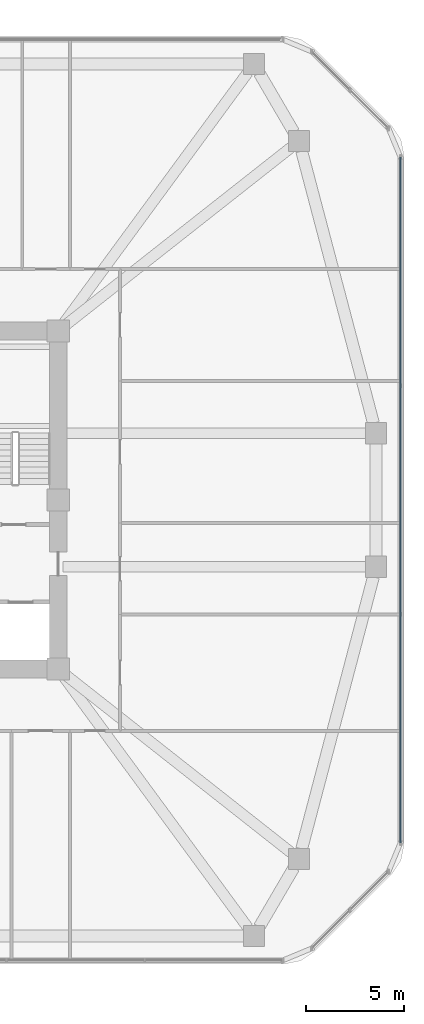
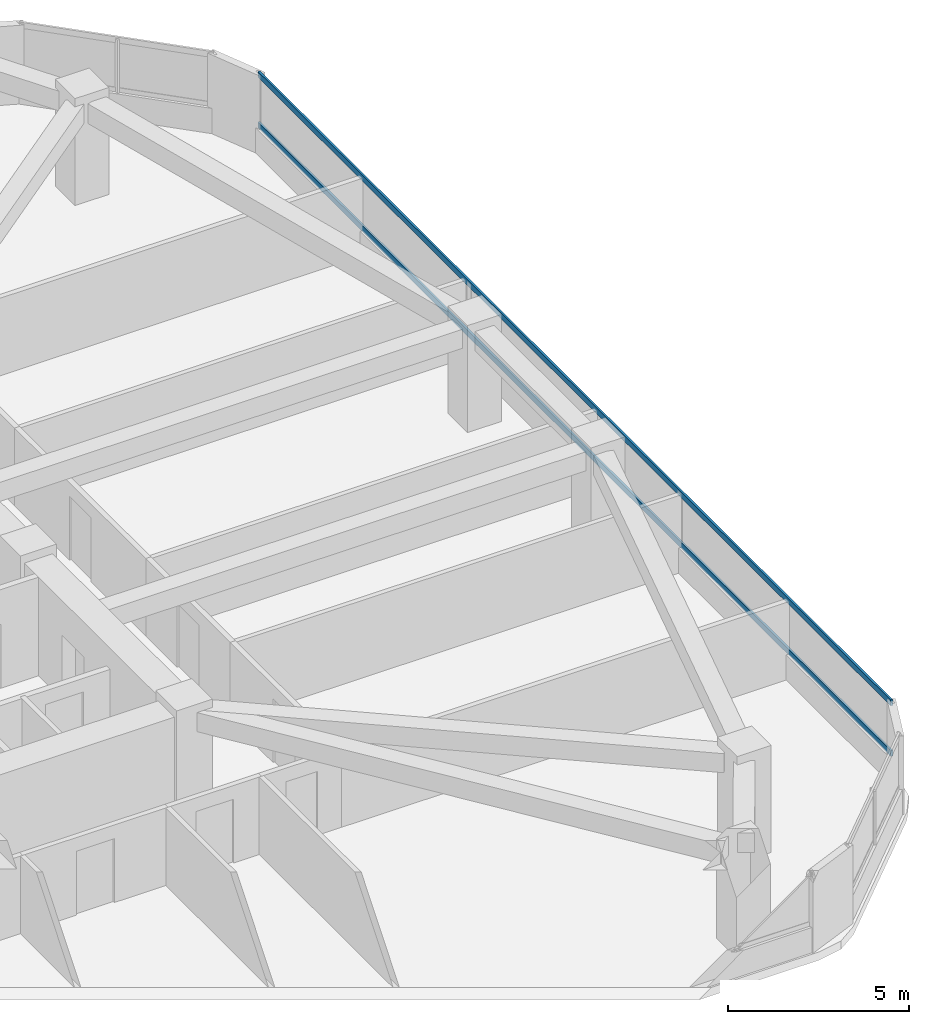
# One storey, part 4 of 14: 2 members, 1 element without a shape of its own.
"""IFC4 building model written with IfcOpenShell, lengths in metres."""

from ifc_helpers import new_model, si_unit, derived_unit, direction, frame, origin, origin_2d, place, context, subcontext, project, spatial, rectangle, extrude, material, material_profile, profile_set, type_object, element, aggregate, save


model = new_model("IFC4")

# Units and contexts
model_context = context("Model", 3, precision=1e-05, world=origin(), true_north=direction((0.0, 1.0)))
body_context = subcontext(model_context, "Body", "Model", "MODEL_VIEW")
ifc_project = project(units=[si_unit("LENGTHUNIT", "METRE"), si_unit("AREAUNIT", "SQUARE_METRE"), si_unit("VOLUMEUNIT", "CUBIC_METRE"), si_unit("PLANEANGLEUNIT", "RADIAN"), si_unit("MASSUNIT", "GRAM", prefix="KILO"), derived_unit("THERMALTRANSMITTANCEUNIT", [(si_unit("POWERUNIT", "WATT"), 1), (si_unit("LENGTHUNIT", "METRE"), -2), (si_unit("THERMODYNAMICTEMPERATUREUNIT", "KELVIN"), -1)])], contexts=[model_context])

# Site, building, storey
site_placement = place(None, origin())
site = spatial("IfcSite", under=ifc_project, at=site_placement, CompositionType="ELEMENT")
building_placement = place(site_placement, origin())
building = spatial("IfcBuilding", under=site, at=building_placement, Name="Koralith Skygarden Medical Center", CompositionType="ELEMENT")
storey_placement = place(building_placement, frame((0.0, 0.0, 34.739990234375)))
storey = spatial("IfcBuildingStorey", under=building, at=storey_placement, Name="L08", CompositionType="ELEMENT", Elevation=34.739990234375)

# Curtain wall, members
ifc_material_1 = material(Name="Clear Laminated Glass", Category="glass")
curtain_wall_type = type_object("IfcCurtainWallType", Name="CW-2 Zone 1 Hurricane Unitised Curtain Wall", PredefinedType="NOTDEFINED", material=ifc_material_1)
curtain_wall_placement = place(storey_placement, origin())
curtain_wall = element("IfcCurtainWall", 1, at=curtain_wall_placement, inside=storey, type_object=curtain_wall_type, Name="Curtain Wall CW-L08-E", PredefinedType="NOTDEFINED")
ifc_material_2 = material(Name="Aluminium 6063-T6", Category="aluminium")
ifc_material_profile = material_profile(ifc_material_2, rectangle(XDim=0.06591796875, YDim=0.197998046875, at=origin_2d()), Name="TRN66X198")
ifc_profile_set = profile_set([ifc_material_profile], Name="Aluminium 6063-T6")
member_type = type_object("IfcMemberType", Name="CW-2 Thermal Transom 66x198", PredefinedType="USERDEFINED", material=ifc_profile_set)
member_1_placement = place(storey_placement, frame((65.6201171875, 8.455078125, 0.89990234375), z_axis=(0.0, 1.0, 0.0), x_axis=(-1.0, 0.0, 0.0)))
member_1 = element("IfcMember", 2, at=member_1_placement, type_object=member_type, Name="CW-L08-E Transom 1", ObjectType="TRANSOM", PredefinedType="USERDEFINED", context=body_context, shape_type="SweptSolid", body=[
    extrude(rectangle(XDim=0.06591796875, YDim=0.197998046875, at=origin_2d()), origin(), (0.0, 0.0, 1.0), 34.889892578125),
])
member_2_placement = place(storey_placement, frame((65.6201171875, 8.455078125, 2.60009765625), z_axis=(0.0, 1.0, 0.0), x_axis=(-1.0, 0.0, 0.0)))
member_2 = element("IfcMember", 3, at=member_2_placement, type_object=member_type, Name="CW-L08-E Transom 2", ObjectType="TRANSOM", PredefinedType="USERDEFINED", context=body_context, shape_type="SweptSolid", body=[
    extrude(rectangle(XDim=0.06591796875, YDim=0.197998046875, at=origin_2d()), origin(), (0.0, 0.0, 1.0), 34.889892578125),
])
aggregate(curtain_wall, [member_1, member_2])

save(model, "model.ifc")
